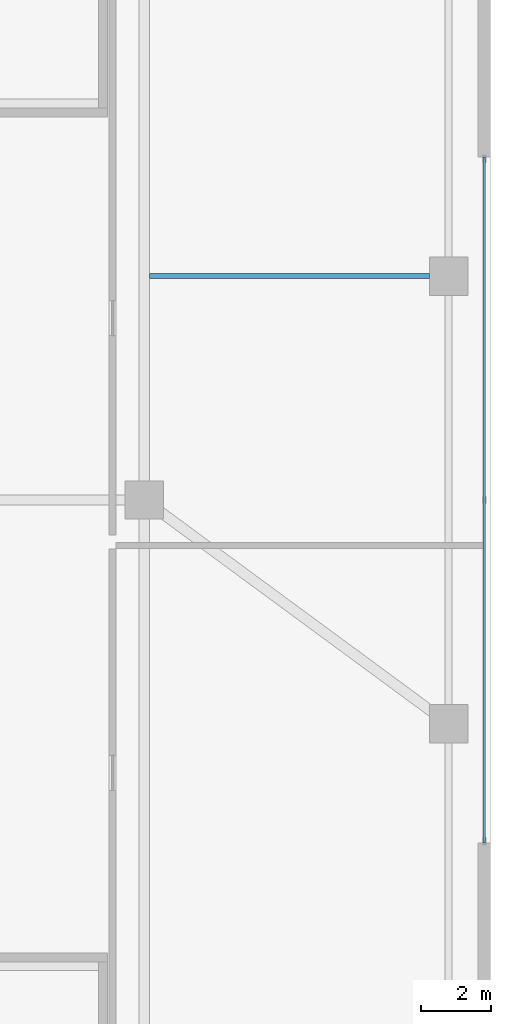
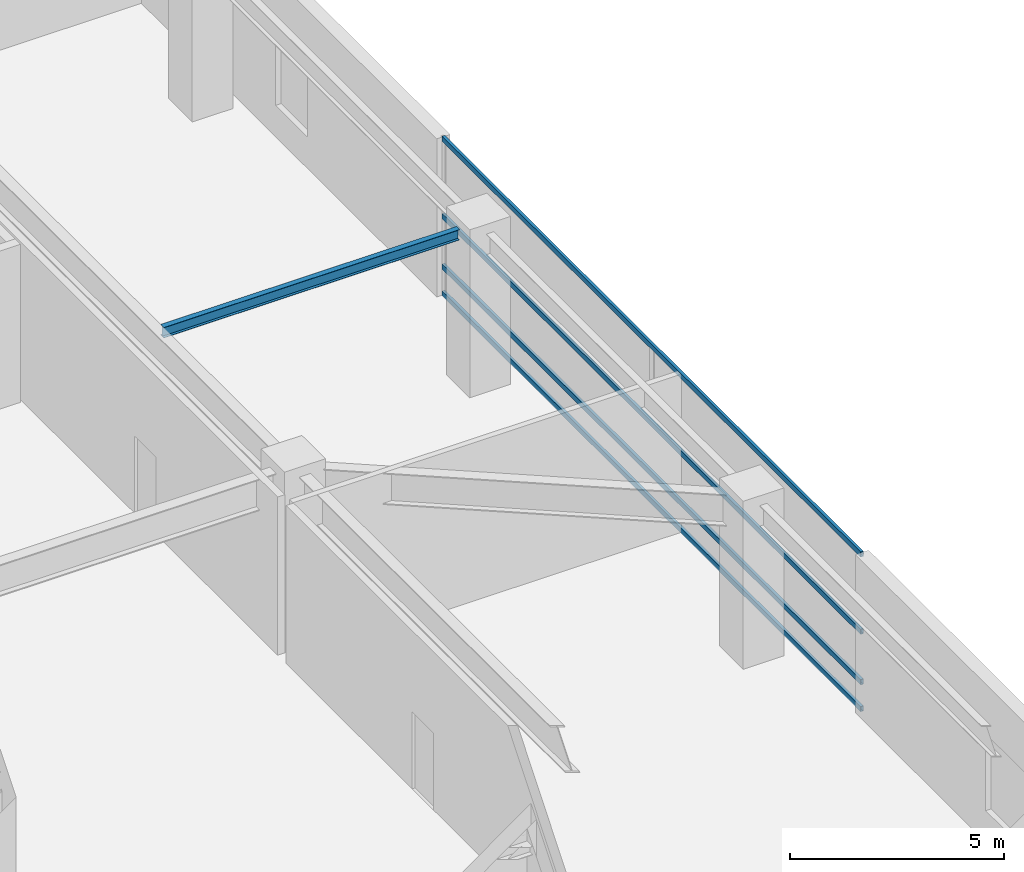
# One storey, part 28 of 37: 4 members, 1 beam, 1 element without a shape of its own.
"""IFC4 building model written with IfcOpenShell, lengths in metres."""

from ifc_helpers import new_model, si_unit, direction, frame, origin, origin_2d, place, context, subcontext, project, spatial, hollow_rectangle, i_section, extrude, source, transform, mapped, material, layer, layer_set, material_profile, profile_set, type_object, element, aggregate, save


model = new_model("IFC4")

# Units and contexts
model_context = context("Model", 3, precision=1e-05, world=origin(), true_north=direction((0.0, 1.0)))
body_context = subcontext(model_context, "Body", "Model", "MODEL_VIEW")
ifc_project = project(units=[si_unit("LENGTHUNIT", "METRE"), si_unit("AREAUNIT", "SQUARE_METRE"), si_unit("VOLUMEUNIT", "CUBIC_METRE"), si_unit("PLANEANGLEUNIT", "RADIAN"), si_unit("MASSUNIT", "GRAM", prefix="KILO"), si_unit("THERMODYNAMICTEMPERATUREUNIT", "KELVIN"), si_unit("POWERUNIT", "WATT")], contexts=[model_context])

# Site, building, storey
site_placement = place(None, origin())
site = spatial("IfcSite", under=ifc_project, at=site_placement, CompositionType="ELEMENT")
building_placement = place(site_placement, origin())
building = spatial("IfcBuilding", under=site, at=building_placement, Name="Yuzanri Waterfront Tower", CompositionType="ELEMENT")
storey_placement = place(building_placement, frame((0.0, 0.0, 5.39990234375)))
storey = spatial("IfcBuildingStorey", under=building, at=storey_placement, Name="L02", CompositionType="ELEMENT", Elevation=5.39990234375)

# Beam
ifc_material_1 = material(Name="Steel Q355B", Category="steel")
ifc_material_profile_1 = material_profile(ifc_material_1, i_section(OverallWidth=0.14990234375, OverallDepth=0.300048828125, WebThickness=0.006591796875, FlangeThickness=0.009033203125, at=origin_2d()), Name="HN 300x150x6.5x9")
ifc_profile_set_1 = profile_set([ifc_material_profile_1], Name="Steel Q355B")
beam_type = type_object("IfcBeamType", Name="Balcony Outlooker Joist Q355B HN 300x150", PredefinedType="JOIST", material=ifc_profile_set_1)
shared_shape_1 = source(origin(), body_context, "Body", "SweptSolid", [
    extrude(i_section(OverallWidth=0.14990234375, OverallDepth=0.300048828125, WebThickness=0.006591796875, FlangeThickness=0.009033203125, at=origin_2d()), origin(), (0.0, 0.0, 1.0), 8.0),
])
beam_placement = place(storey_placement, frame((62.25, 32.199951171875, 4.3701171875), z_axis=(1.0, 0.0, 0.0), x_axis=(0.0, 1.0, 0.0)))
element("IfcBeam", 1, at=beam_placement, inside=storey, type_object=beam_type, Name="L02 Podium East Secondary Joist", PredefinedType="JOIST", context=body_context, shape_type="MappedRepresentation", body=[
    mapped(shared_shape_1, transform((0.0, 0.0, 0.0), scale=1.0)),
])

# Curtain wall, members
ifc_material_2 = material(Name="Anodized Architectural Bronze", Category="metal")
ifc_layer = layer(ifc_material_2, 0.159912109375)
ifc_layer_set = layer_set([ifc_layer], Name="Anodized Architectural Bronze")
curtain_wall_type = type_object("IfcCurtainWallType", Name="Anodized Bronze Podium Waterfront Double-Height Unitized Curtain Wall 8400", PredefinedType="NOTDEFINED", material=ifc_layer_set)
curtain_wall_placement = place(storey_placement, origin())
curtain_wall = element("IfcCurtainWall", 2, at=curtain_wall_placement, inside=storey, type_object=curtain_wall_type, Name="L02 Curtain Wall CW-L02-E", PredefinedType="NOTDEFINED")
ifc_material_3 = material(Name="Anodized Architectural Bronze", Category="metal")
ifc_material_profile_2 = material_profile(ifc_material_3, hollow_rectangle(XDim=0.074951171875, YDim=0.14990234375, WallThickness=0.00390625, at=origin_2d()), Name="CWT 75x150")
ifc_profile_set_2 = profile_set([ifc_material_profile_2], Name="Anodized Architectural Bronze")
member_type = type_object("IfcMemberType", Name="Anodized Bronze Primary Curtain-Wall Transom 75x150", PredefinedType="USERDEFINED", material=ifc_profile_set_2)
shared_shape_2 = source(origin(), body_context, "Body", "SweptSolid", [
    extrude(hollow_rectangle(XDim=0.074951171875, YDim=0.14990234375, WallThickness=0.00390625, at=origin_2d()), origin(), (0.0, 0.0, 1.0), 19.60009765625),
])
member_1_placement = place(storey_placement, frame((71.820068359375, 16.0, 0.050048828125), z_axis=(0.0, 1.0, 0.0), x_axis=(-1.0, 0.0, 0.0)))
member_1 = element("IfcMember", 3, at=member_1_placement, type_object=member_type, Name="CW-L02-E Transom 1", ObjectType="TRANSOM", PredefinedType="USERDEFINED", context=body_context, shape_type="MappedRepresentation", body=[
    mapped(shared_shape_2, transform((0.0, 0.0, 0.0), scale=1.0)),
])
member_2_placement = place(storey_placement, frame((71.820068359375, 16.0, 0.820068359375), z_axis=(0.0, 1.0, 0.0), x_axis=(-1.0, 0.0, 0.0)))
member_2 = element("IfcMember", 4, at=member_2_placement, type_object=member_type, Name="CW-L02-E Transom 2", ObjectType="TRANSOM", PredefinedType="USERDEFINED", context=body_context, shape_type="MappedRepresentation", body=[
    mapped(shared_shape_2, transform((0.0, 0.0, 0.0), scale=1.0)),
])
member_3_placement = place(storey_placement, frame((71.820068359375, 16.0, 2.260009765625), z_axis=(0.0, 1.0, 0.0), x_axis=(-1.0, 0.0, 0.0)))
member_3 = element("IfcMember", 5, at=member_3_placement, type_object=member_type, Name="CW-L02-E Transom 3", ObjectType="TRANSOM", PredefinedType="USERDEFINED", context=body_context, shape_type="MappedRepresentation", body=[
    mapped(shared_shape_2, transform((0.0, 0.0, 0.0), scale=1.0)),
])
member_4_placement = place(storey_placement, frame((71.820068359375, 16.0, 4.47021484375), z_axis=(0.0, 1.0, 0.0), x_axis=(-1.0, 0.0, 0.0)))
member_4 = element("IfcMember", 6, at=member_4_placement, type_object=member_type, Name="CW-L02-E Transom 4", ObjectType="TRANSOM", PredefinedType="USERDEFINED", context=body_context, shape_type="MappedRepresentation", body=[
    mapped(shared_shape_2, transform((0.0, 0.0, 0.0), scale=1.0)),
])
aggregate(curtain_wall, [member_1, member_2, member_3, member_4])

save(model, "model.ifc")
